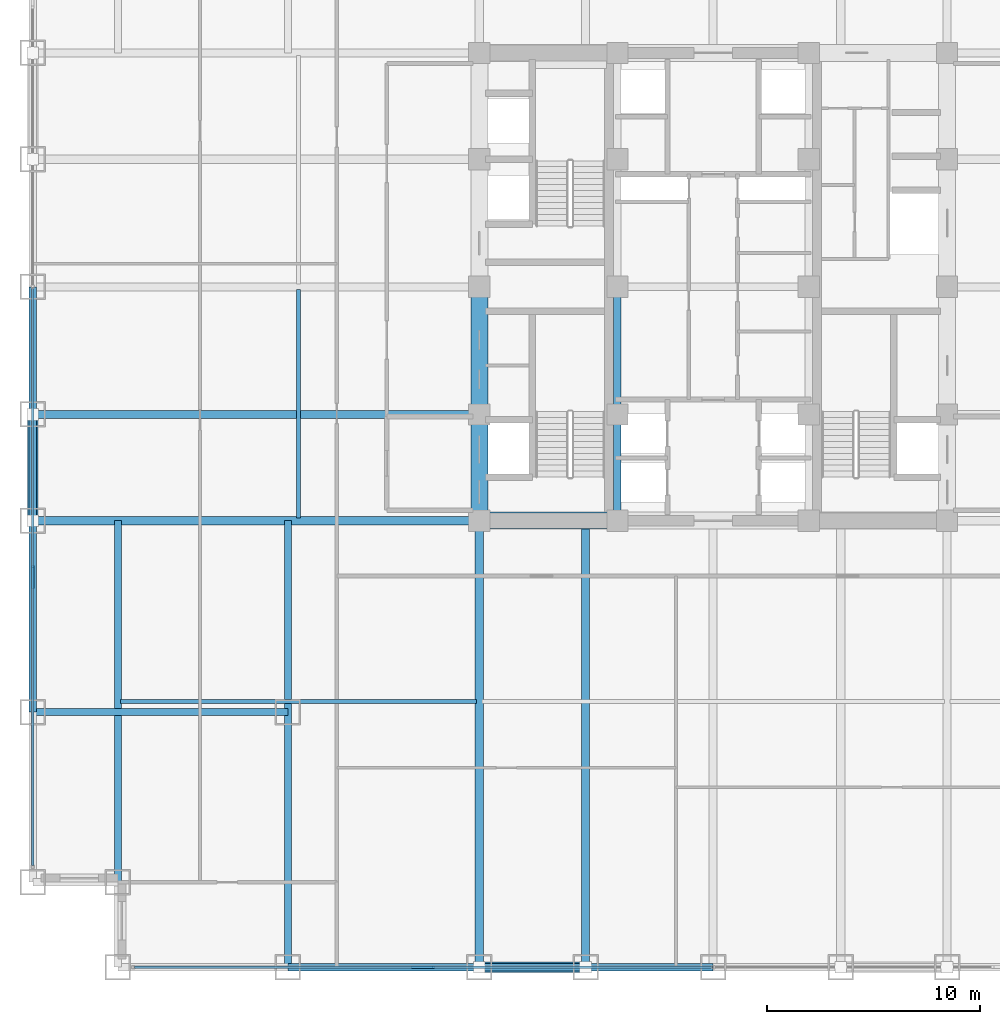
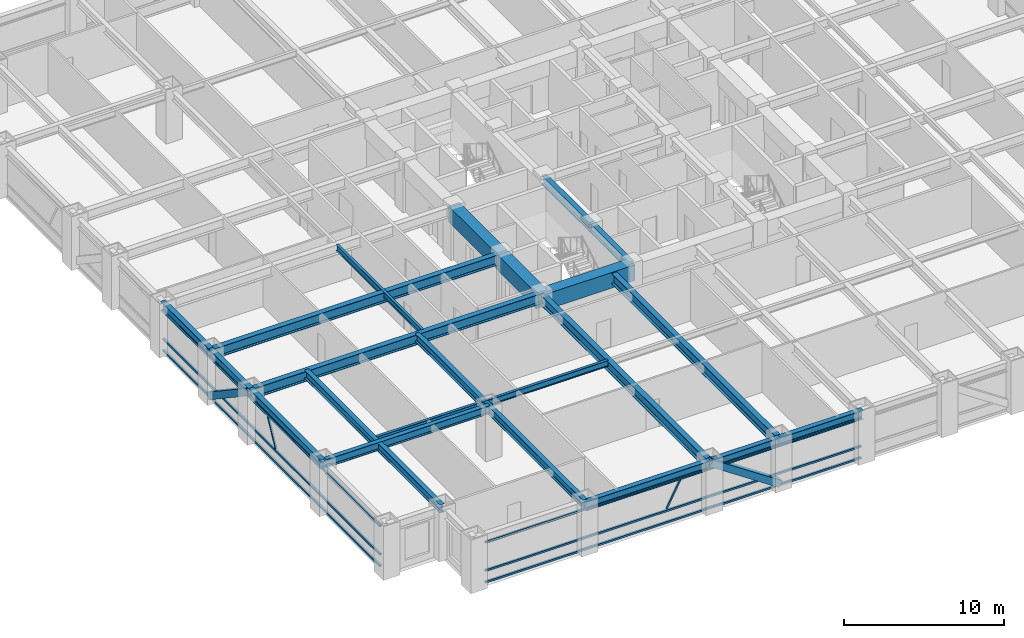
# One storey, part 3 of 27: 20 beams, 10 members, 2 elements without a shape of their own.
"""IFC4 building model written with IfcOpenShell, lengths in metres."""

from ifc_helpers import new_model, si_unit, direction, frame, origin, origin_2d, place, context, subcontext, project, spatial, rectangle, hollow_rectangle, i_section, extrude, source, transform, mapped, material, material_profile, profile_set, type_object, element, aggregate, save


model = new_model("IFC4")

# Units and contexts
model_context = context("Model", 3, precision=1e-05, world=origin(), true_north=direction((0.0, 1.0)))
body_context = subcontext(model_context, "Body", "Model", "MODEL_VIEW")
ifc_project = project(units=[si_unit("LENGTHUNIT", "METRE"), si_unit("AREAUNIT", "SQUARE_METRE"), si_unit("VOLUMEUNIT", "CUBIC_METRE"), si_unit("PLANEANGLEUNIT", "RADIAN"), si_unit("MASSUNIT", "GRAM", prefix="KILO")], contexts=[model_context])

# Site, building, storey
site_placement = place(None, origin())
site = spatial("IfcSite", under=ifc_project, at=site_placement, CompositionType="ELEMENT")
building_placement = place(site_placement, origin())
building = spatial("IfcBuilding", under=site, at=building_placement, Name="Khorayat Bourse Tower", CompositionType="ELEMENT")
storey_placement = place(building_placement, frame((0.0, 0.0, 140.60009765625)))
storey = spatial("IfcBuildingStorey", under=building, at=storey_placement, Name="L32", CompositionType="ELEMENT", Elevation=140.60009765625)

# Beams
ifc_material_1 = material(Name="Concrete C72/90", Category="concrete")
ifc_material_profile_1 = material_profile(ifc_material_1, rectangle(XDim=0.800048828125, YDim=1.199951171875, at=origin_2d()), Name="RC 800x1200")
ifc_profile_set_1 = profile_set([ifc_material_profile_1], Name="Concrete C72/90")
beam_type_1 = type_object("IfcBeamType", Name="BM-COUP-1200", PredefinedType="BEAM", material=ifc_profile_set_1)
shared_shape_1 = source(origin(), body_context, "Body", "SweptSolid", [
    extrude(rectangle(XDim=0.800048828125, YDim=1.199951171875, at=origin_2d()), origin(), (0.0, 0.0, 1.0), 5.0),
])
beam_1_placement = place(storey_placement, frame((-11.0, -11.0, 3.239990234375), z_axis=(0.0, 1.0, 0.0), x_axis=(-1.0, 0.0, 0.0)))
element("IfcBeam", 1, at=beam_1_placement, inside=storey, type_object=beam_type_1, Name="L32 BM-COUP-1200 BM-L32-CRX-01", PredefinedType="BEAM", context=body_context, shape_type="MappedRepresentation", body=[
    mapped(shared_shape_1, transform((0.0, 0.0, 0.0), scale=1.0)),
])
shared_shape_2 = source(origin(), body_context, "Body", "SweptSolid", [
    extrude(rectangle(XDim=0.800048828125, YDim=1.199951171875, at=origin_2d()), origin(), (0.0, 0.0, 1.0), 6.0),
])
beam_2_placement = place(storey_placement, frame((-11.0, -6.0, 3.239990234375), z_axis=(0.0, 1.0, 0.0), x_axis=(-1.0, 0.0, 0.0)))
element("IfcBeam", 2, at=beam_2_placement, inside=storey, type_object=beam_type_1, Name="L32 BM-COUP-1200 BM-L32-CRX-02", PredefinedType="BEAM", context=body_context, shape_type="MappedRepresentation", body=[
    mapped(shared_shape_2, transform((0.0, 0.0, 0.0), scale=1.0)),
])
ifc_material_2 = material(Name="Steel ASTM A992 Grade 50", Category="steel")
ifc_material_profile_2 = material_profile(ifc_material_2, i_section(OverallWidth=0.35498046875, OverallDepth=0.695068359375, WebThickness=0.015380859375, FlangeThickness=0.02490234375, FilletRadius=0.01806640625, at=origin_2d()), Name="W690X217")
ifc_profile_set_2 = profile_set([ifc_material_profile_2], Name="Steel ASTM A992 Grade 50")
beam_type_2 = type_object("IfcBeamType", Name="BM-GIRD-690", PredefinedType="BEAM", material=ifc_profile_set_2)
shared_shape_3 = source(origin(), body_context, "Body", "SweptSolid", [
    extrude(i_section(OverallWidth=0.35498046875, OverallDepth=0.695068359375, WebThickness=0.015380859375, FlangeThickness=0.02490234375, FilletRadius=0.01806640625, at=origin_2d()), origin(), (0.0, 0.0, 1.0), 5.0),
])
beam_3_placement = place(storey_placement, frame((-4.5, -11.0, 3.492431640625), z_axis=(0.0, 1.0, 0.0), x_axis=(-1.0, 0.0, 0.0)))
element("IfcBeam", 3, at=beam_3_placement, inside=storey, type_object=beam_type_2, Name="L32 BM-GIRD-690 BM-L32-CRX-05", PredefinedType="BEAM", context=body_context, shape_type="MappedRepresentation", body=[
    mapped(shared_shape_3, transform((0.0, 0.0, 0.0), scale=1.0)),
])
shared_shape_4 = source(origin(), body_context, "Body", "SweptSolid", [
    extrude(i_section(OverallWidth=0.35498046875, OverallDepth=0.695068359375, WebThickness=0.015380859375, FlangeThickness=0.02490234375, FilletRadius=0.01806640625, at=origin_2d()), origin(), (0.0, 0.0, 1.0), 6.0),
])
beam_4_placement = place(storey_placement, frame((-4.5, -6.0, 3.492431640625), z_axis=(0.0, 1.0, 0.0), x_axis=(-1.0, 0.0, 0.0)))
element("IfcBeam", 4, at=beam_4_placement, inside=storey, type_object=beam_type_2, Name="L32 BM-GIRD-690 BM-L32-CRX-06", PredefinedType="BEAM", context=body_context, shape_type="MappedRepresentation", body=[
    mapped(shared_shape_4, transform((0.0, 0.0, 0.0), scale=1.0)),
])
shared_shape_5 = source(origin(), body_context, "Body", "SweptSolid", [
    extrude(rectangle(XDim=0.800048828125, YDim=1.199951171875, at=origin_2d()), origin(), (0.0, 0.0, 1.0), 6.5),
])
beam_5_placement = place(storey_placement, frame((-11.0, -11.0, 3.239990234375), z_axis=(1.0, 0.0, 0.0), x_axis=(0.0, 1.0, 0.0)))
element("IfcBeam", 5, at=beam_5_placement, inside=storey, type_object=beam_type_1, Name="L32 BM-COUP-1200 BM-L32-CRY-17", PredefinedType="BEAM", context=body_context, shape_type="MappedRepresentation", body=[
    mapped(shared_shape_5, transform((0.0, 0.0, 0.0), scale=1.0)),
])
ifc_material_profile_3 = material_profile(ifc_material_2, i_section(OverallWidth=0.35498046875, OverallDepth=0.695068359375, WebThickness=0.015380859375, FlangeThickness=0.02490234375, FilletRadius=0.01806640625, at=origin_2d()), Name="W690X217")
ifc_profile_set_3 = profile_set([ifc_material_profile_3], Name="Steel ASTM A992 Grade 50")
beam_type_3 = type_object("IfcBeamType", Name="BM-SPAN-690", PredefinedType="SPANDREL", material=ifc_profile_set_3)
shared_shape_6 = source(origin(), body_context, "Body", "SweptSolid", [
    extrude(i_section(OverallWidth=0.35498046875, OverallDepth=0.695068359375, WebThickness=0.015380859375, FlangeThickness=0.02490234375, FilletRadius=0.01806640625, at=origin_2d()), origin(), (0.0, 0.0, 1.0), 9.0),
])
for number, where, z_axis, x_axis, name in (
    (6, (-20.0, -32.0, 3.412353515625), (1.0, 0.0, 0.0), (0.0, 1.0, 0.0), "L32 BM-SPAN-690 BM-L32-SPN-025"),
    (7, (-32.0, -20.0, 3.492431640625), (0.0, 1.0, 0.0), (-1.0, 0.0, 0.0), "L32 BM-SPAN-690 BM-L32-SPN-060"),
):
    element("IfcBeam", number, at=place(storey_placement, frame(where, z_axis=z_axis, x_axis=x_axis)), inside=storey, type_object=beam_type_3, Name=name, PredefinedType="SPANDREL", context=body_context, shape_type="MappedRepresentation", body=[
        mapped(shared_shape_6, transform((0.0, 0.0, 0.0), scale=1.0)),
    ])
shared_shape_7 = source(origin(), body_context, "Body", "SweptSolid", [
    extrude(i_section(OverallWidth=0.35498046875, OverallDepth=0.695068359375, WebThickness=0.015380859375, FlangeThickness=0.02490234375, FilletRadius=0.01806640625, at=origin_2d()), origin(), (0.0, 0.0, 1.0), 5.0),
])
for number, where, z_axis, x_axis, name in (
    (8, (-11.0, -32.0, 3.412353515625), (1.0, 0.0, 0.0), (0.0, 1.0, 0.0), "L32 BM-SPAN-690 BM-L32-SPN-026"),
    (9, (-32.0, -11.0, 3.492431640625), (0.0, 1.0, 0.0), (-1.0, 0.0, 0.0), "L32 BM-SPAN-690 BM-L32-SPN-059"),
):
    element("IfcBeam", number, at=place(storey_placement, frame(where, z_axis=z_axis, x_axis=x_axis)), inside=storey, type_object=beam_type_3, Name=name, PredefinedType="SPANDREL", context=body_context, shape_type="MappedRepresentation", body=[
        mapped(shared_shape_7, transform((0.0, 0.0, 0.0), scale=1.0)),
    ])
shared_shape_8 = source(origin(), body_context, "Body", "SweptSolid", [
    extrude(i_section(OverallWidth=0.35498046875, OverallDepth=0.695068359375, WebThickness=0.015380859375, FlangeThickness=0.02490234375, FilletRadius=0.01806640625, at=origin_2d()), origin(), (0.0, 0.0, 1.0), 6.0),
])
for number, where, z_axis, x_axis, name in (
    (10, (-6.0, -32.0, 3.412353515625), (1.0, 0.0, 0.0), (0.0, 1.0, 0.0), "L32 BM-SPAN-690 BM-L32-SPN-027"),
    (11, (-32.0, -6.0, 3.492431640625), (0.0, 1.0, 0.0), (-1.0, 0.0, 0.0), "L32 BM-SPAN-690 BM-L32-SPN-058"),
):
    element("IfcBeam", number, at=place(storey_placement, frame(where, z_axis=z_axis, x_axis=x_axis)), inside=storey, type_object=beam_type_3, Name=name, PredefinedType="SPANDREL", context=body_context, shape_type="MappedRepresentation", body=[
        mapped(shared_shape_8, transform((0.0, 0.0, 0.0), scale=1.0)),
    ])
ifc_material_profile_4 = material_profile(ifc_material_2, i_section(OverallWidth=0.324951171875, OverallDepth=0.615966796875, WebThickness=0.013916015625, FlangeThickness=0.021484375, FilletRadius=0.01611328125, at=origin_2d()), Name="W610X174")
ifc_profile_set_4 = profile_set([ifc_material_profile_4], Name="Steel ASTM A992 Grade 50")
beam_type_4 = type_object("IfcBeamType", Name="BM-GIRD-610", PredefinedType="BEAM", material=ifc_profile_set_4)
shared_shape_9 = source(origin(), body_context, "Body", "SweptSolid", [
    extrude(i_section(OverallWidth=0.324951171875, OverallDepth=0.615966796875, WebThickness=0.013916015625, FlangeThickness=0.021484375, FilletRadius=0.01611328125, at=origin_2d()), origin(), (0.0, 0.0, 1.0), 21.0),
])
beam_6_placement = place(storey_placement, frame((-20.0, -32.0, 3.531982421875), z_axis=(0.0, 1.0, 0.0), x_axis=(-1.0, 0.0, 0.0)))
element("IfcBeam", 12, at=beam_6_placement, inside=storey, type_object=beam_type_4, Name="L32 BM-GIRD-610 BM-L32-CNRY-084", PredefinedType="BEAM", context=body_context, shape_type="MappedRepresentation", body=[
    mapped(shared_shape_9, transform((0.0, 0.0, 0.0), scale=1.0)),
])
shared_shape_10 = source(origin(), body_context, "Body", "SweptSolid", [
    extrude(i_section(OverallWidth=0.324951171875, OverallDepth=0.615966796875, WebThickness=0.013916015625, FlangeThickness=0.021484375, FilletRadius=0.01611328125, at=origin_2d()), origin(), (0.0, 0.0, 1.0), 12.0),
])
beam_7_placement = place(storey_placement, frame((-32.0, -20.0, 3.531982421875), z_axis=(1.0, 0.0, 0.0), x_axis=(0.0, 1.0, 0.0)))
element("IfcBeam", 13, at=beam_7_placement, inside=storey, type_object=beam_type_4, Name="L32 BM-GIRD-610 BM-L32-CNRX-093", PredefinedType="BEAM", context=body_context, shape_type="MappedRepresentation", body=[
    mapped(shared_shape_10, transform((0.0, 0.0, 0.0), scale=1.0)),
])
ifc_material_profile_5 = material_profile(ifc_material_2, i_section(OverallWidth=0.194091796875, OverallDepth=0.468994140625, WebThickness=0.0126953125, FlangeThickness=0.0205078125, FilletRadius=0.012939453125, at=origin_2d()), Name="W460X106")
ifc_profile_set_5 = profile_set([ifc_material_profile_5], Name="Steel ASTM A992 Grade 50")
beam_type_5 = type_object("IfcBeamType", Name="BM-JOIST-460", PredefinedType="JOIST", material=ifc_profile_set_5)
shared_shape_11 = source(origin(), body_context, "Body", "SweptSolid", [
    extrude(i_section(OverallWidth=0.194091796875, OverallDepth=0.468994140625, WebThickness=0.0126953125, FlangeThickness=0.0205078125, FilletRadius=0.012939453125, at=origin_2d()), origin(), (0.0, 0.0, 1.0), 10.740234375),
])
beam_8_placement = place(storey_placement, frame((-19.5, -10.8701171875, 3.60546875), z_axis=(0.0, 1.0, 0.0), x_axis=(-1.0, 0.0, 0.0)))
element("IfcBeam", 14, at=beam_8_placement, inside=storey, type_object=beam_type_5, Name="L32 BM-JOIST-460 BM-L32-JSTY-102", PredefinedType="JOIST", context=body_context, shape_type="MappedRepresentation", body=[
    mapped(shared_shape_11, transform((0.0, 0.0, 0.0), scale=1.0)),
])
ifc_material_profile_6 = material_profile(ifc_material_2, i_section(OverallWidth=0.381103515625, OverallDepth=0.77294921875, WebThickness=0.0166015625, FlangeThickness=0.027587890625, FilletRadius=0.01806640625, at=origin_2d()), Name="W760X257")
ifc_profile_set_6 = profile_set([ifc_material_profile_6], Name="Steel ASTM A992 Grade 50")
beam_type_6 = type_object("IfcBeamType", Name="BM-GIRD-760", PredefinedType="BEAM", material=ifc_profile_set_6)
shared_shape_12 = source(origin(), body_context, "Body", "SweptSolid", [
    extrude(i_section(OverallWidth=0.381103515625, OverallDepth=0.77294921875, WebThickness=0.0166015625, FlangeThickness=0.027587890625, FilletRadius=0.01806640625, at=origin_2d()), origin(), (0.0, 0.0, 1.0), 21.0),
])
for number, where, z_axis, x_axis, name in (
    (15, (-11.0, -32.0, 3.373291015625), (0.0, 1.0, 0.0), (-1.0, 0.0, 0.0), "L32 BM-GIRD-760 BM-L32-RADY-065"),
    (16, (-6.0, -32.0, 3.373291015625), (0.0, 1.0, 0.0), (-1.0, 0.0, 0.0), "L32 BM-GIRD-760 BM-L32-RADY-067"),
    (17, (-32.0, -11.0, 3.453369140625), (1.0, 0.0, 0.0), (0.0, 1.0, 0.0), "L32 BM-GIRD-760 BM-L32-RADX-075"),
    (18, (-32.0, -6.0, 3.453369140625), (1.0, 0.0, 0.0), (0.0, 1.0, 0.0), "L32 BM-GIRD-760 BM-L32-RADX-077"),
):
    element("IfcBeam", number, at=place(storey_placement, frame(where, z_axis=z_axis, x_axis=x_axis)), inside=storey, type_object=beam_type_6, Name=name, PredefinedType="BEAM", context=body_context, shape_type="MappedRepresentation", body=[
        mapped(shared_shape_12, transform((0.0, 0.0, 0.0), scale=1.0)),
    ])
shared_shape_13 = source(origin(), body_context, "Body", "SweptSolid", [
    extrude(i_section(OverallWidth=0.324951171875, OverallDepth=0.615966796875, WebThickness=0.013916015625, FlangeThickness=0.021484375, FilletRadius=0.01611328125, at=origin_2d()), origin(), (0.0, 0.0, 1.0), 17.0),
])
beam_9_placement = place(storey_placement, frame((-28.0, -28.0, 3.531982421875), z_axis=(0.0, 1.0, 0.0), x_axis=(-1.0, 0.0, 0.0)))
element("IfcBeam", 19, at=beam_9_placement, inside=storey, type_object=beam_type_4, Name="L32 BM-GIRD-610 BM-L32-CNRY-088", PredefinedType="BEAM", context=body_context, shape_type="MappedRepresentation", body=[
    mapped(shared_shape_13, transform((0.0, 0.0, 0.0), scale=1.0)),
])
shared_shape_14 = source(origin(), body_context, "Body", "SweptSolid", [
    extrude(i_section(OverallWidth=0.194091796875, OverallDepth=0.468994140625, WebThickness=0.0126953125, FlangeThickness=0.0205078125, FilletRadius=0.012939453125, at=origin_2d()), origin(), (0.0, 0.0, 1.0), 16.740234375),
])
beam_10_placement = place(storey_placement, frame((-27.8701171875, -19.5, 3.60546875), z_axis=(1.0, 0.0, 0.0), x_axis=(0.0, 1.0, 0.0)))
element("IfcBeam", 20, at=beam_10_placement, inside=storey, type_object=beam_type_5, Name="L32 BM-JOIST-460 BM-L32-JSTX-096", PredefinedType="JOIST", context=body_context, shape_type="MappedRepresentation", body=[
    mapped(shared_shape_14, transform((0.0, 0.0, 0.0), scale=1.0)),
])

# Members
ifc_material_3 = material(Name="Steel EN 10025-4 S460M", Category="steel")
ifc_material_profile_7 = material_profile(ifc_material_3, hollow_rectangle(XDim=0.5, YDim=0.5, WallThickness=0.028076171875, at=origin_2d()), Name="HSS 500x500x28")
ifc_profile_set_7 = profile_set([ifc_material_profile_7], Name="Steel EN 10025-4 S460M")
member_type_1 = type_object("IfcMemberType", Name="MBR-TUBE-500", PredefinedType="BRACE", material=ifc_profile_set_7)
shared_shape_15 = source(origin(), body_context, "Body", "SweptSolid", [
    extrude(hollow_rectangle(XDim=0.5, YDim=0.5, WallThickness=0.028076171875, at=origin_2d()), origin(), (0.0, 0.0, 1.0), 6.012939453125),
])
for number, where, z_axis, x_axis, name in (
    (21, (-11.0, -32.0, 3.58984375), (0.831550226979, 0.0, -0.555449565677), (0.0, 1.0, 0.0), "L32 Perimeter Tube Brace 01"),
    (22, (-32.0, -11.0, 3.58984375), (0.0, 0.831550226979, -0.555449565677), (-1.0, 0.0, 0.0), "L32 Perimeter Tube Brace 05"),
):
    element("IfcMember", number, at=place(storey_placement, frame(where, z_axis=z_axis, x_axis=x_axis)), inside=storey, type_object=member_type_1, Name=name, PredefinedType="BRACE", context=body_context, shape_type="MappedRepresentation", body=[
        mapped(shared_shape_15, transform((0.0, 0.0, 0.0), scale=1.0)),
    ])

# Curtain wall, members
ifc_material_4 = material(Name="Aluminium EN AW-6063 T6", Category="aluminium")
curtain_wall_type = type_object("IfcCurtainWallType", Name="CW-SYS-02", PredefinedType="NOTDEFINED", material=ifc_material_4)
curtain_wall_1_placement = place(storey_placement, origin())
curtain_wall_1 = element("IfcCurtainWall", 23, at=curtain_wall_1_placement, inside=storey, type_object=curtain_wall_type, Name="L32 Curtain Wall CW-L32-S1", PredefinedType="NOTDEFINED")
ifc_material_profile_8 = material_profile(ifc_material_4, hollow_rectangle(XDim=0.139892578125, YDim=0.139892578125, WallThickness=0.006103515625, at=origin_2d()), Name="ALU 140x140x6")
ifc_profile_set_8 = profile_set([ifc_material_profile_8], Name="Aluminium EN AW-6063 T6")
member_type_2 = type_object("IfcMemberType", Name="CWT-HORZ-140", PredefinedType="USERDEFINED", material=ifc_profile_set_8)
shared_shape_16 = source(origin(), body_context, "Body", "SweptSolid", [
    extrude(hollow_rectangle(XDim=0.139892578125, YDim=0.139892578125, WallThickness=0.006103515625, at=origin_2d()), origin(), (0.0, 0.0, 1.0), 27.139892578125),
])
member_1_placement = place(storey_placement, frame((-27.2099609375, -32.0, 0.06982421875), z_axis=(1.0, 0.0, 0.0), x_axis=(0.0, 1.0, 0.0)))
member_1 = element("IfcMember", 24, at=member_1_placement, type_object=member_type_2, Name="CW-L32-S1 Horizontal Transom 1-1", ObjectType="TRANSOM", PredefinedType="USERDEFINED", context=body_context, shape_type="MappedRepresentation", body=[
    mapped(shared_shape_16, transform((0.0, 0.0, 0.0), scale=1.0)),
])
member_2_placement = place(storey_placement, frame((-27.2099609375, -32.0, 0.949951171875), z_axis=(1.0, 0.0, 0.0), x_axis=(0.0, 1.0, 0.0)))
member_2 = element("IfcMember", 25, at=member_2_placement, type_object=member_type_2, Name="CW-L32-S1 Horizontal Transom 1-2", ObjectType="TRANSOM", PredefinedType="USERDEFINED", context=body_context, shape_type="MappedRepresentation", body=[
    mapped(shared_shape_16, transform((0.0, 0.0, 0.0), scale=1.0)),
])
member_3_placement = place(storey_placement, frame((-27.2099609375, -32.0, 3.119873046875), z_axis=(1.0, 0.0, 0.0), x_axis=(0.0, 1.0, 0.0)))
member_3 = element("IfcMember", 26, at=member_3_placement, type_object=member_type_2, Name="CW-L32-S1 Horizontal Transom 1-3", ObjectType="TRANSOM", PredefinedType="USERDEFINED", context=body_context, shape_type="MappedRepresentation", body=[
    mapped(shared_shape_16, transform((0.0, 0.0, 0.0), scale=1.0)),
])

curtain_wall_2_placement = place(storey_placement, origin())
curtain_wall_2 = element("IfcCurtainWall", 27, at=curtain_wall_2_placement, inside=storey, type_object=curtain_wall_type, Name="L32 Curtain Wall CW-L32-W1", PredefinedType="NOTDEFINED")
member_4_placement = place(storey_placement, frame((-32.0, -27.2099609375, 0.06982421875), z_axis=(0.0, 1.0, 0.0), x_axis=(-1.0, 0.0, 0.0)))
member_4 = element("IfcMember", 28, at=member_4_placement, type_object=member_type_2, Name="CW-L32-W1 Horizontal Transom 1-1", ObjectType="TRANSOM", PredefinedType="USERDEFINED", context=body_context, shape_type="MappedRepresentation", body=[
    mapped(shared_shape_16, transform((0.0, 0.0, 0.0), scale=1.0)),
])
member_5_placement = place(storey_placement, frame((-32.0, -27.2099609375, 0.949951171875), z_axis=(0.0, 1.0, 0.0), x_axis=(-1.0, 0.0, 0.0)))
member_5 = element("IfcMember", 29, at=member_5_placement, type_object=member_type_2, Name="CW-L32-W1 Horizontal Transom 1-2", ObjectType="TRANSOM", PredefinedType="USERDEFINED", context=body_context, shape_type="MappedRepresentation", body=[
    mapped(shared_shape_16, transform((0.0, 0.0, 0.0), scale=1.0)),
])
member_6_placement = place(storey_placement, frame((-32.0, -27.2099609375, 3.119873046875), z_axis=(0.0, 1.0, 0.0), x_axis=(-1.0, 0.0, 0.0)))
member_6 = element("IfcMember", 30, at=member_6_placement, type_object=member_type_2, Name="CW-L32-W1 Horizontal Transom 1-3", ObjectType="TRANSOM", PredefinedType="USERDEFINED", context=body_context, shape_type="MappedRepresentation", body=[
    mapped(shared_shape_16, transform((0.0, 0.0, 0.0), scale=1.0)),
])

# Member
ifc_material_profile_9 = material_profile(ifc_material_4, hollow_rectangle(XDim=0.1201171875, YDim=0.1201171875, WallThickness=0.0048828125, at=origin_2d()), Name="ALU 120x120x5")
ifc_profile_set_9 = profile_set([ifc_material_profile_9], Name="Aluminium EN AW-6063 T6")
member_type_3 = type_object("IfcMemberType", Name="CWM-DIAG-120", PredefinedType="MULLION", material=ifc_profile_set_9)
shared_shape_17 = source(origin(), body_context, "Body", "SweptSolid", [
    extrude(hollow_rectangle(XDim=0.1201171875, YDim=0.1201171875, WallThickness=0.0048828125, at=origin_2d()), origin(), (0.0, 0.0, 1.0), 2.11328125),
])
member_7_placement = place(storey_placement, frame((-14.132080078125, -32.0, 1.099853515625), z_axis=(0.465694055905, 0.0, 0.884945787207), x_axis=(0.0, 1.0, 0.0)))
member_7 = element("IfcMember", 31, at=member_7_placement, type_object=member_type_3, Name="CW-L32-S1 Faceted Diagonal Mullion 1", PredefinedType="MULLION", context=body_context, shape_type="MappedRepresentation", body=[
    mapped(shared_shape_17, transform((0.0, 0.0, 0.0), scale=1.0)),
])

aggregate(curtain_wall_1, [member_1, member_2, member_3, member_7])

member_8_placement = place(storey_placement, frame((-32.0, -14.132080078125, 1.099853515625), z_axis=(0.0, 0.465694055905, 0.884945787207), x_axis=(-1.0, 0.0, 0.0)))
member_8 = element("IfcMember", 32, at=member_8_placement, type_object=member_type_3, Name="CW-L32-W1 Faceted Diagonal Mullion 1", PredefinedType="MULLION", context=body_context, shape_type="MappedRepresentation", body=[
    mapped(shared_shape_17, transform((0.0, 0.0, 0.0), scale=1.0)),
])

aggregate(curtain_wall_2, [member_4, member_5, member_6, member_8])

save(model, "model.ifc")
